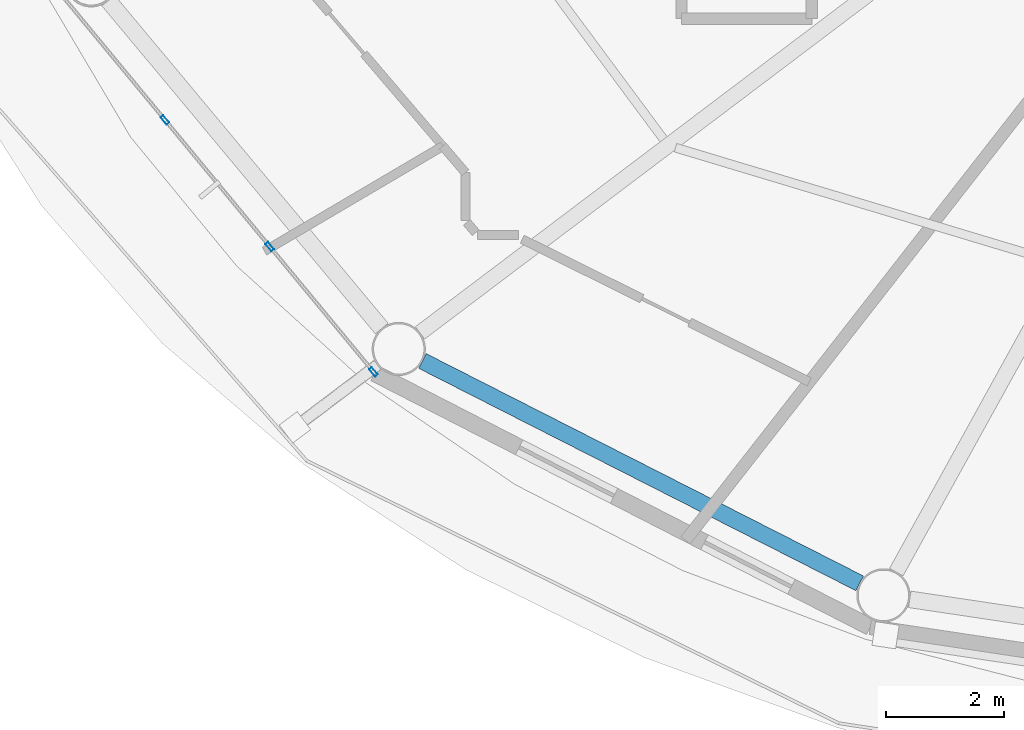
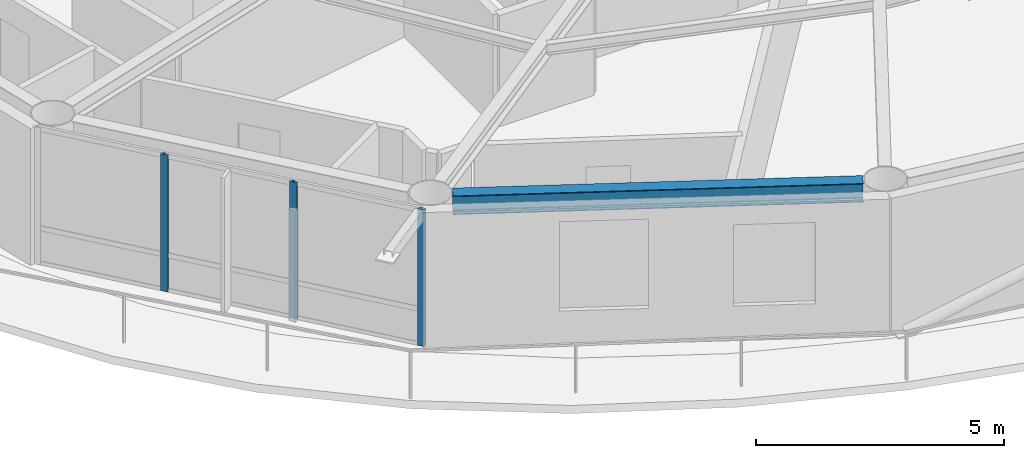
# One storey, part 2 of 22: 3 members, 1 beam, 1 element without a shape of its own.
"""IFC4 building model written with IfcOpenShell, lengths in metres."""

from ifc_helpers import new_model, si_unit, direction, frame, origin, origin_2d, place, context, subcontext, project, spatial, hollow_rectangle, i_section, extrude, material, layer, layer_set, material_profile, profile_set, type_object, element, aggregate, save


model = new_model("IFC4")

# Units and contexts
model_context = context("Model", 3, precision=1e-05, world=origin(), true_north=direction((0.0, 1.0)))
body_context = subcontext(model_context, "Body", "Model", "MODEL_VIEW")
ifc_project = project(units=[si_unit("LENGTHUNIT", "METRE"), si_unit("AREAUNIT", "SQUARE_METRE"), si_unit("VOLUMEUNIT", "CUBIC_METRE"), si_unit("PLANEANGLEUNIT", "RADIAN"), si_unit("MASSUNIT", "GRAM", prefix="KILO")], contexts=[model_context])

# Site, building, storey
site_placement = place(None, origin())
site = spatial("IfcSite", under=ifc_project, at=site_placement, CompositionType="ELEMENT")
building_placement = place(site_placement, origin())
building = spatial("IfcBuilding", under=site, at=building_placement, Name="Sarneth Arch Tower", CompositionType="ELEMENT")
storey_placement = place(building_placement, frame((0.0, 0.0, 301.800048828125)))
storey = spatial("IfcBuildingStorey", under=building, at=storey_placement, Name="L78", CompositionType="ELEMENT", Elevation=301.800048828125)

# Beam
ifc_material_1 = material(Name="Steel S355", Category="steel")
ifc_material_profile_1 = material_profile(ifc_material_1, i_section(OverallWidth=0.280029296875, OverallDepth=0.462890625, WebThickness=0.0107421875, FlangeThickness=0.017333984375, FilletRadius=0.01806640625, at=origin_2d()), Name="W460x113")
ifc_profile_set_1 = profile_set([ifc_material_profile_1], Name="Steel S355")
beam_type = type_object("IfcBeamType", Name="BM-RAD-460A", PredefinedType="BEAM", material=ifc_profile_set_1)
beam_placement = place(storey_placement, frame((30.42578125, 28.219482421875, 3.138427734375), z_axis=(0.891376248079, -0.453264144138, 0.0), x_axis=(0.453264144138, 0.891376248079, 0.0)))
element("IfcBeam", 1, at=beam_placement, inside=storey, type_object=beam_type, Name="L78 Perimeter spandrel beam 11", PredefinedType="BEAM", context=body_context, shape_type="SweptSolid", body=[
    extrude(i_section(OverallWidth=0.280029296875, OverallDepth=0.462890625, WebThickness=0.0107421875, FlangeThickness=0.017333984375, FilletRadius=0.01806640625, at=origin_2d()), origin(), (0.0, 0.0, 1.0), 8.281982421875),
])

# Curtain wall, members
ifc_material_2 = material(Name="Anodised aluminium Type AA25 and solar-control low-e laminated IGU", Category="aluminium")
ifc_layer = layer(ifc_material_2, 0.179931640625)
ifc_layer_set = layer_set([ifc_layer], Name="Anodised aluminium Type AA25 and solar-control low-e laminated IGU")
curtain_wall_type = type_object("IfcCurtainWallType", Name="CW-RES-HIGH", PredefinedType="NOTDEFINED", material=ifc_layer_set)
curtain_wall_placement = place(storey_placement, origin())
curtain_wall = element("IfcCurtainWall", 2, at=curtain_wall_placement, inside=storey, type_object=curtain_wall_type, Name="L78 Unitised curtain wall facet 10", PredefinedType="NOTDEFINED")
ifc_material_3 = material(Name="Anodised Aluminium 6063-T6", Category="aluminium")
ifc_material_profile_2 = material_profile(ifc_material_3, hollow_rectangle(XDim=0.06005859375, YDim=0.159912109375, WallThickness=0.00390625, at=origin_2d()), Name="AL-MULL-160x60x4")
ifc_profile_set_2 = profile_set([ifc_material_profile_2], Name="Anodised Aluminium 6063-T6")
member_type = type_object("IfcMemberType", Name="CW-MULLION", PredefinedType="MULLION", material=ifc_profile_set_2)
member_1_placement = place(storey_placement, frame((26.07666015625, 32.29150390625, 0.0), z_axis=(0.0, 0.0, 1.0), x_axis=(0.770359245933, 0.637610094184, 0.0)))
member_1 = element("IfcMember", 3, at=member_1_placement, type_object=member_type, Name="CW-SYS-6 mullion 2", PredefinedType="MULLION", context=body_context, shape_type="SweptSolid", body=[
    extrude(hollow_rectangle(XDim=0.06005859375, YDim=0.159912109375, WallThickness=0.00390625, at=origin_2d()), origin(), (0.0, 0.0, 1.0), 3.369873046875),
])
member_2_placement = place(storey_placement, frame((27.84716796875, 30.15234375, 0.0), z_axis=(0.0, 0.0, 1.0), x_axis=(0.770359245933, 0.637610094184, 0.0)))
member_2 = element("IfcMember", 4, at=member_2_placement, type_object=member_type, Name="CW-SYS-6 mullion 3", PredefinedType="MULLION", context=body_context, shape_type="SweptSolid", body=[
    extrude(hollow_rectangle(XDim=0.06005859375, YDim=0.159912109375, WallThickness=0.00390625, at=origin_2d()), origin(), (0.0, 0.0, 1.0), 3.369873046875),
])
member_3_placement = place(storey_placement, frame((29.598388671875, 28.03662109375, 0.0), z_axis=(0.0, 0.0, 1.0), x_axis=(0.770359245933, 0.637610094184, 0.0)))
member_3 = element("IfcMember", 5, at=member_3_placement, type_object=member_type, Name="CW-SYS-6 mullion 4", PredefinedType="MULLION", context=body_context, shape_type="SweptSolid", body=[
    extrude(hollow_rectangle(XDim=0.06005859375, YDim=0.159912109375, WallThickness=0.00390625, at=origin_2d()), origin(), (0.0, 0.0, 1.0), 3.369873046875),
])
aggregate(curtain_wall, [member_1, member_2, member_3])

save(model, "model.ifc")
